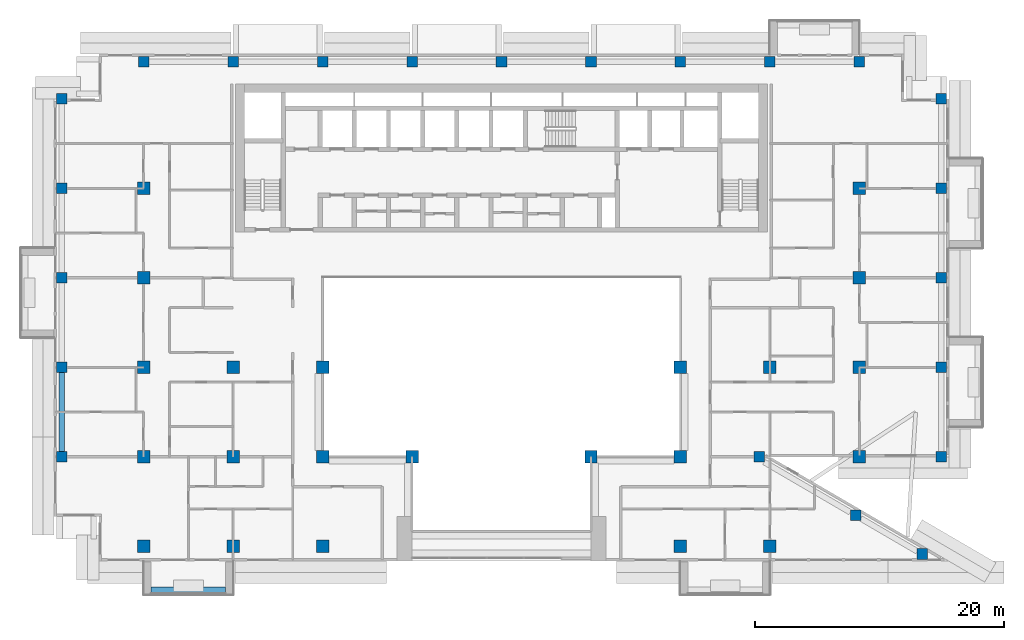
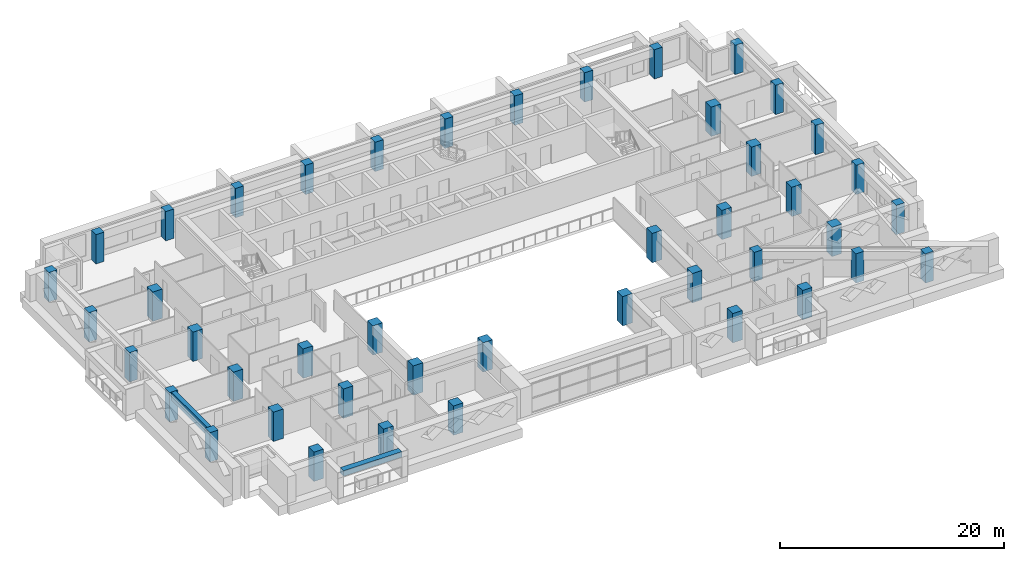
# One storey, part 1 of 20: 44 columns, 2 beams.
"""IFC4 building model written with IfcOpenShell, lengths in metres."""

from ifc_helpers import new_model, si_unit, direction, frame, origin, origin_2d, place, context, subcontext, project, spatial, rectangle, extrude, source, transform, mapped, material, material_profile, profile_set, type_object, element, save


model = new_model("IFC4")

# Units and contexts
model_context = context("Model", 3, precision=1e-05, world=origin(), true_north=direction((0.0, 1.0)))
body_context = subcontext(model_context, "Body", "Model", "MODEL_VIEW")
ifc_project = project(units=[si_unit("LENGTHUNIT", "METRE"), si_unit("AREAUNIT", "SQUARE_METRE"), si_unit("VOLUMEUNIT", "CUBIC_METRE"), si_unit("PLANEANGLEUNIT", "RADIAN"), si_unit("MASSUNIT", "GRAM", prefix="KILO")], contexts=[model_context])

# Site, building, storey
site_placement = place(None, origin())
site = spatial("IfcSite", under=ifc_project, at=site_placement, CompositionType="ELEMENT")
building_placement = place(site_placement, origin())
building = spatial("IfcBuilding", under=site, at=building_placement, Name="Saffron Iwan Residences", CompositionType="ELEMENT")
storey_placement = place(building_placement, frame((0.0, 0.0, 167.5)))
storey = spatial("IfcBuildingStorey", under=building, at=storey_placement, Name="L44", CompositionType="ELEMENT", Elevation=167.5)

# Columns
ifc_material_1 = material(Name="Concrete C50/60", Category="concrete")
ifc_material_profile_1 = material_profile(ifc_material_1, rectangle(XDim=0.85009765625, YDim=0.85009765625, at=origin_2d()), Name="RC 850x850")
ifc_profile_set_1 = profile_set([ifc_material_profile_1], Name="Concrete C50/60")
column_type_1 = type_object("IfcColumnType", Name="COL RC 850x850 C50/60 3200 HIGH", PredefinedType="COLUMN", material=ifc_profile_set_1)
shared_shape_1 = source(origin(), body_context, "Body", "SweptSolid", [
    extrude(rectangle(XDim=0.85009765625, YDim=0.85009765625, at=origin_2d()), origin(), (0.0, 0.0, 1.0), 3.199951171875),
])
for number, where, z_axis, x_axis, name in (
    (1, (84.276123046875, 40.17431640625, 0.0), (0.0, 0.0, 1.0), (1.0, 0.0, 0.0), "Column C045"),
    (2, (78.897705078125, 43.28173828125, 0.0), (0.0, 0.0, 1.0), (1.0, 0.0, 0.0), "Column C058"),
    (3, (15.0, 48.0, 0.0), (0.0, 0.0, 1.0), (1.0, 0.0, 0.0), "Column C061"),
    (4, (71.14990234375, 48.0, 0.0), (0.0, 0.0, 1.0), (1.0, 0.0, 0.0), "Column C070"),
    (5, (85.800048828125, 48.0, 0.0), (0.0, 0.0, 1.0), (1.0, 0.0, 0.0), "Column C074"),
    (6, (15.0, 55.199951171875, 0.0), (0.0, 0.0, 1.0), (1.0, 0.0, 0.0), "Column C077"),
    (7, (85.800048828125, 55.199951171875, 0.0), (0.0, 0.0, 1.0), (1.0, 0.0, 0.0), "Column C086"),
    (8, (15.0, 62.39990234375, 0.0), (0.0, 0.0, 1.0), (1.0, 0.0, 0.0), "Column C089"),
    (9, (85.800048828125, 62.39990234375, 0.0), (0.0, 0.0, 1.0), (1.0, 0.0, 0.0), "Column C094"),
    (10, (15.0, 69.60009765625, 0.0), (0.0, 0.0, 1.0), (1.0, 0.0, 0.0), "Column C097"),
    (11, (85.800048828125, 69.60009765625, 0.0), (0.0, 0.0, 1.0), (1.0, 0.0, 0.0), "Column C102"),
    (12, (15.0, 76.800048828125, 0.0), (0.0, 0.0, 1.0), (1.0, 0.0, 0.0), "Column C105"),
    (13, (85.800048828125, 76.800048828125, 0.0), (0.0, 0.0, 1.0), (1.0, 0.0, 0.0), "Column C110"),
    (14, (21.60009765625, 79.800048828125, 0.0), (0.0, 0.0, 1.0), (1.0, 0.0, 0.0), "Column C113"),
    (15, (28.800048828125, 79.800048828125, 0.0), (0.0, 0.0, 1.0), (1.0, 0.0, 0.0), "Column C115"),
    (16, (36.0, 79.800048828125, 0.0), (0.0, 0.0, 1.0), (1.0, 0.0, 0.0), "Column C116"),
    (17, (43.199951171875, 79.800048828125, 0.0), (0.0, 0.0, 1.0), (1.0, 0.0, 0.0), "Column C117"),
    (18, (50.39990234375, 79.800048828125, 0.0), (0.0, 0.0, 1.0), (1.0, 0.0, 0.0), "Column C118"),
    (19, (57.60009765625, 79.800048828125, 0.0), (0.0, 0.0, 1.0), (1.0, 0.0, 0.0), "Column C119"),
    (20, (64.800048828125, 79.800048828125, 0.0), (0.0, 0.0, 1.0), (1.0, 0.0, 0.0), "Column C120"),
    (21, (72.0, 79.800048828125, 0.0), (0.0, 0.0, 1.0), (1.0, 0.0, 0.0), "Column C121"),
    (22, (79.199951171875, 79.800048828125, 0.0), (0.0, 0.0, 1.0), (1.0, 0.0, 0.0), "Column C123"),
):
    element("IfcColumn", number, at=place(storey_placement, frame(where, z_axis=z_axis, x_axis=x_axis)), inside=storey, type_object=column_type_1, Name=name, PredefinedType="COLUMN", context=body_context, shape_type="MappedRepresentation", body=[
        mapped(shared_shape_1, transform((0.0, 0.0, 0.0))),
    ])
ifc_material_profile_2 = material_profile(ifc_material_1, rectangle(XDim=1.0, YDim=1.0, at=origin_2d()), Name="RC 1000x1000")
ifc_profile_set_2 = profile_set([ifc_material_profile_2], Name="Concrete C50/60")
column_type_2 = type_object("IfcColumnType", Name="COL RC 1000x1000 C50/60 3200 HIGH", PredefinedType="COLUMN", material=ifc_profile_set_2)
shared_shape_2 = source(origin(), body_context, "Body", "SweptSolid", [
    extrude(rectangle(XDim=1.0, YDim=1.0, at=origin_2d()), origin(), (0.0, 0.0, 1.0), 3.199951171875),
])
for number, where, z_axis, x_axis, name in (
    (23, (21.60009765625, 40.800048828125, 0.0), (0.0, 0.0, 1.0), (1.0, 0.0, 0.0), "Column C049"),
    (24, (28.800048828125, 40.800048828125, 0.0), (0.0, 0.0, 1.0), (1.0, 0.0, 0.0), "Column C051"),
    (25, (36.0, 40.800048828125, 0.0), (0.0, 0.0, 1.0), (1.0, 0.0, 0.0), "Column C052"),
    (26, (64.800048828125, 40.800048828125, 0.0), (0.0, 0.0, 1.0), (1.0, 0.0, 0.0), "Column C055"),
    (27, (72.0, 40.800048828125, 0.0), (0.0, 0.0, 1.0), (1.0, 0.0, 0.0), "Column C056"),
    (28, (21.60009765625, 48.0, 0.0), (0.0, 0.0, 1.0), (1.0, 0.0, 0.0), "Column C063"),
    (29, (28.800048828125, 48.0, 0.0), (0.0, 0.0, 1.0), (1.0, 0.0, 0.0), "Column C064"),
    (30, (36.0, 48.0, 0.0), (0.0, 0.0, 1.0), (1.0, 0.0, 0.0), "Column C065"),
    (31, (43.199951171875, 48.0, 0.0), (0.0, 0.0, 1.0), (1.0, 0.0, 0.0), "Column C066"),
    (32, (57.60009765625, 48.0, 0.0), (0.0, 0.0, 1.0), (1.0, 0.0, 0.0), "Column C068"),
    (33, (64.800048828125, 48.0, 0.0), (0.0, 0.0, 1.0), (1.0, 0.0, 0.0), "Column C069"),
    (34, (79.199951171875, 48.0, 0.0), (0.0, 0.0, 1.0), (1.0, 0.0, 0.0), "Column C072"),
    (35, (21.60009765625, 55.199951171875, 0.0), (0.0, 0.0, 1.0), (1.0, 0.0, 0.0), "Column C079"),
    (36, (28.800048828125, 55.199951171875, 0.0), (0.0, 0.0, 1.0), (1.0, 0.0, 0.0), "Column C080"),
    (37, (36.0, 55.199951171875, 0.0), (0.0, 0.0, 1.0), (1.0, 0.0, 0.0), "Column C081"),
    (38, (64.800048828125, 55.199951171875, 0.0), (0.0, 0.0, 1.0), (1.0, 0.0, 0.0), "Column C082"),
    (39, (72.0, 55.199951171875, 0.0), (0.0, 0.0, 1.0), (1.0, 0.0, 0.0), "Column C083"),
    (40, (79.199951171875, 55.199951171875, 0.0), (0.0, 0.0, 1.0), (1.0, 0.0, 0.0), "Column C084"),
    (41, (21.60009765625, 62.39990234375, 0.0), (0.0, 0.0, 1.0), (1.0, 0.0, 0.0), "Column C091"),
    (42, (79.199951171875, 62.39990234375, 0.0), (0.0, 0.0, 1.0), (1.0, 0.0, 0.0), "Column C092"),
    (43, (21.60009765625, 69.60009765625, 0.0), (0.0, 0.0, 1.0), (1.0, 0.0, 0.0), "Column C099"),
    (44, (79.199951171875, 69.60009765625, 0.0), (0.0, 0.0, 1.0), (1.0, 0.0, 0.0), "Column C100"),
):
    element("IfcColumn", number, at=place(storey_placement, frame(where, z_axis=z_axis, x_axis=x_axis)), inside=storey, type_object=column_type_2, Name=name, PredefinedType="COLUMN", context=body_context, shape_type="MappedRepresentation", body=[
        mapped(shared_shape_2, transform((0.0, 0.0, 0.0))),
    ])

# Beams
ifc_material_profile_3 = material_profile(ifc_material_1, rectangle(XDim=0.449951171875, YDim=0.89990234375, at=origin_2d()), Name="RC 450x900")
ifc_profile_set_3 = profile_set([ifc_material_profile_3], Name="Concrete C50/60")
beam_type_1 = type_object("IfcBeamType", Name="SPANDREL BEAM RC 450x900 C50/60 TOP 3200", PredefinedType="SPANDREL", material=ifc_profile_set_3)
shared_shape_3 = source(origin(), body_context, "Body", "SweptSolid", [
    extrude(rectangle(XDim=0.449951171875, YDim=0.89990234375, at=origin_2d()), origin(), (0.0, 0.0, 1.0), 6.349853515625),
])
beam_1_placement = place(storey_placement, frame((15.0, 48.425048828125, 2.75), z_axis=(0.0, 1.0, 0.0), x_axis=(-1.0, 0.0, 0.0)))
element("IfcBeam", 45, at=beam_1_placement, inside=storey, type_object=beam_type_1, Name="Spandrel beam", PredefinedType="SPANDREL", context=body_context, shape_type="MappedRepresentation", body=[
    mapped(shared_shape_3, transform((0.0, 0.0, 0.0))),
])
ifc_material_2 = material(Name="Concrete C50/60 white painted", Category="concrete")
ifc_material_profile_4 = material_profile(ifc_material_2, rectangle(XDim=0.60009765625, YDim=0.60009765625, at=origin_2d()), Name="BALCONY FASCIA BEAM 600 x 600")
ifc_profile_set_4 = profile_set([ifc_material_profile_4], Name="Concrete C50/60 white painted")
beam_type_2 = type_object("IfcBeamType", Name="BALCONY FASCIA BEAM 600 x 600", PredefinedType="BEAM", material=ifc_profile_set_4)
shared_shape_4 = source(origin(), body_context, "Body", "SweptSolid", [
    extrude(rectangle(XDim=0.60009765625, YDim=0.60009765625, at=origin_2d()), origin(), (0.0, 0.0, 1.0), 6.0),
])
beam_2_placement = place(storey_placement, frame((22.199951171875, 37.199951171875, 2.550048828125), z_axis=(1.0, 0.0, 0.0), x_axis=(0.0, 1.0, 0.0)))
element("IfcBeam", 46, at=beam_2_placement, inside=storey, type_object=beam_type_2, Name="Balcony fascia beam L44 11-0", PredefinedType="BEAM", context=body_context, shape_type="MappedRepresentation", body=[
    mapped(shared_shape_4, transform((0.0, 0.0, 0.0))),
])

save(model, "model.ifc")
